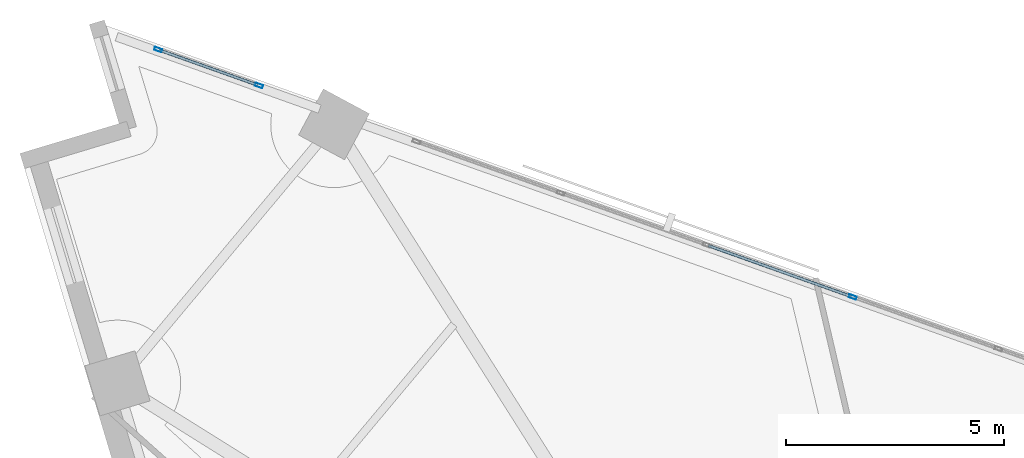
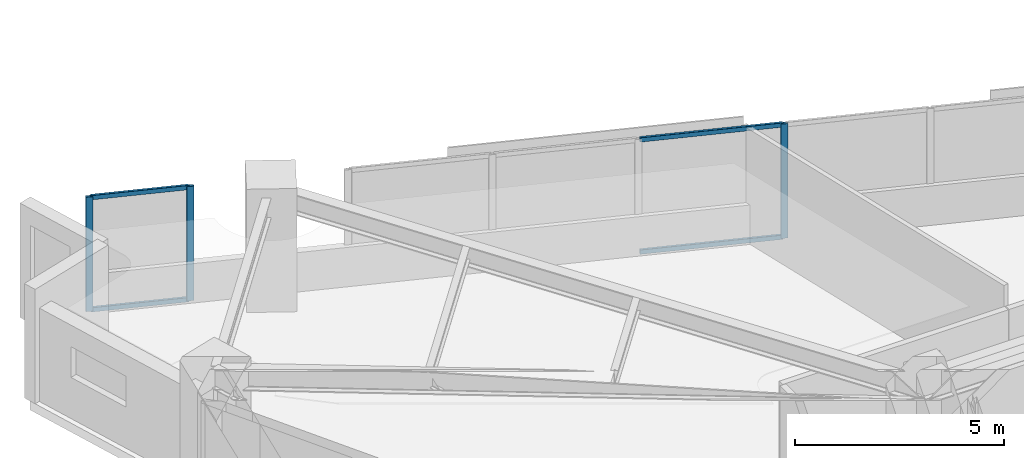
# One storey, part 7 of 15: 7 members, 2 elements without a shape of their own.
"""IFC4 building model written with IfcOpenShell, lengths in metres."""

import ifcopenshell
import ifcopenshell.guid

model = None  # the IFC model being written
_history = None  # IfcOwnerHistory: only IFC2X3 demands one
_inside = {}  # id of a spatial element -> (the spatial element, [elements in it])
_under = {}  # id of a project, library or spatial element -> (it, [spatial elements below it])
_declared = {}  # id of a project -> (the project, [libraries it declares])
_typed = {}  # id of a type object -> (the type object, [elements of that type])
_made_of = {}  # id of a material, layer set ... -> (it, [elements and type objects made of it])


def new_model(schema):
    """Start an empty IFC model of exactly this schema.

    Asked for "IFC4X3", IfcOpenShell would pick the latest addendum, in which some entities
    have other attributes; the version numbers below select the first issue.
    IFC2X3 requires an IfcOwnerHistory on every rooted entity: one is made here for all.
    """
    global model, _history
    if schema == "IFC4X3":
        model = ifcopenshell.file(schema_version=(4, 3, 0, 0))
    else:
        model = ifcopenshell.file(schema=schema)
    _inside.clear()
    _under.clear()
    _declared.clear()
    _typed.clear()
    _made_of.clear()
    _history = None
    if model.schema == "IFC2X3":
        org = make("IfcOrganization", Name="unknown")
        user = make(
            "IfcPersonAndOrganization",
            ThePerson=make("IfcPerson", FamilyName="unknown"),
            TheOrganization=org,
        )
        app = make(
            "IfcApplication",
            ApplicationDeveloper=org,
            Version="unknown",
            ApplicationFullName="unknown",
            ApplicationIdentifier="unknown",
        )
        _history = make(
            "IfcOwnerHistory",
            OwningUser=user,
            OwningApplication=app,
            ChangeAction="ADDED",
            CreationDate=0,
        )
    return model


def make(cls, **values):
    """One entity of the class cls with the attributes given. An attribute that is None is left unset."""
    return model.create_entity(
        cls, **{name: value for name, value in values.items() if value is not None}
    )


def rooted(cls, **values):
    """An entity with a GlobalId (a new one), such as an element, a storey or a relation."""
    return make(cls, GlobalId=ifcopenshell.guid.new(), OwnerHistory=_history, **values)


def si_unit(unit_type, name, prefix=None):
    """IfcSIUnit, for example si_unit("LENGTHUNIT", "METRE", prefix="MILLI")."""
    return make("IfcSIUnit", UnitType=unit_type, Prefix=prefix, Name=name)


def assignment(units):
    """IfcUnitAssignment: the units of a project."""
    return None if units is None else make("IfcUnitAssignment", Units=units)


def point(xyz):
    """IfcCartesianPoint."""
    return None if xyz is None else make("IfcCartesianPoint", Coordinates=xyz)


def direction(xyz):
    """IfcDirection."""
    return None if xyz is None else make("IfcDirection", DirectionRatios=xyz)


def frame(location, z_axis=None, x_axis=None):
    """IfcAxis2Placement3D, a coordinate frame: its origin and axes. An axis left out is left unset."""
    return make(
        "IfcAxis2Placement3D",
        Location=point(location),
        Axis=direction(z_axis),
        RefDirection=direction(x_axis),
    )


def frame_2d(location, x_axis=None):
    """IfcAxis2Placement2D, a coordinate frame in the plane: its origin and x axis."""
    return make(
        "IfcAxis2Placement2D", Location=point(location), RefDirection=direction(x_axis)
    )


def origin():
    """The frame at (0, 0, 0) with its axes left unset."""
    return frame((0.0, 0.0, 0.0))


def origin_2d():
    """The frame at (0, 0) in the plane with its x axis left unset."""
    return frame_2d((0.0, 0.0))


def place(relative_to, where):
    """IfcLocalPlacement: puts the frame where relative to a parent placement (None: the world)."""
    return make(
        "IfcLocalPlacement", PlacementRelTo=relative_to, RelativePlacement=where
    )


def context(
    kind, dimensions, precision=None, world=None, true_north=None, identifier=None
):
    """IfcGeometricRepresentationContext, for example the 3D "Model" context."""
    return make(
        "IfcGeometricRepresentationContext",
        ContextIdentifier=identifier,
        ContextType=kind,
        CoordinateSpaceDimension=dimensions,
        Precision=precision,
        WorldCoordinateSystem=world,
        TrueNorth=true_north,
    )


def subcontext(parent, identifier, kind, view, scale=None):
    """IfcGeometricRepresentationSubContext, for example "Body" below "Model"."""
    return make(
        "IfcGeometricRepresentationSubContext",
        ContextIdentifier=identifier,
        ContextType=kind,
        ParentContext=parent,
        TargetScale=scale,
        TargetView=view,
    )


def project(units=None, contexts=None):
    """IfcProject with its units and contexts."""
    return rooted(
        "IfcProject",
        Name="project",
        RepresentationContexts=contexts,
        UnitsInContext=assignment(units),
    )


def spatial(cls, under=None, at=None, **own):
    """A site, building, storey or space (cls), placed at a placement, below another one or the project."""
    s = rooted(cls, ObjectPlacement=at, **own)
    if under is not None:
        _under.setdefault(under.id(), (under, []))[1].append(s)
    return s


def profile(cls, at=None, kind="AREA", **sizes):
    """A parametric profile (cls). Its sizes go by their IFC names, for example OverallWidth=200.0."""
    return make(cls, ProfileType=kind, Position=at, **sizes)


def hollow_rectangle(**sizes):
    """IfcRectangleHollowProfileDef."""
    return profile("IfcRectangleHollowProfileDef", **sizes)


def extrude(swept, where, along, depth):
    """IfcExtrudedAreaSolid: the profile swept, set in the frame where, extruded along a direction by depth."""
    return make(
        "IfcExtrudedAreaSolid",
        SweptArea=swept,
        Position=where,
        ExtrudedDirection=direction(along),
        Depth=depth,
    )


def shape(context_of_items, identifier, shape_type, items):
    """IfcShapeRepresentation: the items that make up one representation, for example the "Body"."""
    return make(
        "IfcShapeRepresentation",
        ContextOfItems=context_of_items,
        RepresentationIdentifier=identifier,
        RepresentationType=shape_type,
        Items=items,
    )


def material(Name=None, Category=None):
    """IfcMaterial."""
    return make("IfcMaterial", Name=Name, Category=Category)


def material_profile(
    of_material, cross_section, Name=None, Category=None, Priority=None
):
    """IfcMaterialProfile: a cross section and its material."""
    return make(
        "IfcMaterialProfile",
        Name=Name,
        Material=of_material,
        Profile=cross_section,
        Priority=Priority,
        Category=Category,
    )


def profile_set(profiles, Name=None, composite=None):
    """IfcMaterialProfileSet."""
    return make(
        "IfcMaterialProfileSet",
        Name=Name,
        MaterialProfiles=profiles,
        CompositeProfile=composite,
    )


def made_of(thing, what):
    """Note that an element or type object is made of a material, layer set ...; save() writes the relation."""
    if what is not None:
        _made_of.setdefault(what.id(), (what, []))[1].append(thing)
    return thing


def type_object(cls, material=None, **own):
    """A type object (cls), such as IfcWallType, which elements share."""
    return made_of(rooted(cls, **own), material)


def element(
    cls,
    number,
    at=None,
    inside=None,
    cuts=None,
    type_object=None,
    material=None,
    context=None,
    identifier="Body",
    shape_type=None,
    held_by="IfcProductDefinitionShape",
    body=None,
    shapes=None,
    **own,
):
    """One element of the class cls, such as IfcWall. Its Tag is "e" and its number.

    at: its placement. inside: the storey or other place that contains it. cuts: it is an
    opening in that element (IfcRelVoidsElement). A single representation is given by context,
    identifier, shape_type and body (its items); several are given by shapes. held_by: the class
    of the entity that holds the representations. save() writes the other relations.
    """
    e = rooted(cls, Tag="e%d" % number, ObjectPlacement=at, **own)
    if body is not None:
        shapes = [shape(context, identifier, shape_type, body)]
    if shapes is not None:
        e.Representation = make(held_by, Representations=shapes)
    if inside is not None:
        _inside.setdefault(inside.id(), (inside, []))[1].append(e)
    if cuts is not None:
        rooted(
            "IfcRelVoidsElement", RelatingBuildingElement=cuts, RelatedOpeningElement=e
        )
    if type_object is not None:
        _typed.setdefault(type_object.id(), (type_object, []))[1].append(e)
    return made_of(e, material)


def aggregate(whole, parts):
    """IfcRelAggregates: a whole, such as a stair, and the parts it consists of."""
    return rooted("IfcRelAggregates", RelatingObject=whole, RelatedObjects=parts)


def save(model, path):
    """Write the relations noted so far, then the file.

    IfcRelAggregates (storeys below a building ...), IfcRelContainedInSpatialStructure (elements
    in a storey), IfcRelDefinesByType, IfcRelAssociatesMaterial and IfcRelDeclares: one each for
    every whole, place, type object, material and project.
    """
    for whole, parts in _under.values():
        aggregate(whole, parts)
    for where, things in _inside.values():
        rooted(
            "IfcRelContainedInSpatialStructure",
            RelatedElements=things,
            RelatingStructure=where,
        )
    for kind, things in _typed.values():
        rooted("IfcRelDefinesByType", RelatedObjects=things, RelatingType=kind)
    for what, things in _made_of.values():
        rooted("IfcRelAssociatesMaterial", RelatedObjects=things, RelatingMaterial=what)
    for by, libraries in _declared.values():
        rooted("IfcRelDeclares", RelatingContext=by, RelatedDefinitions=libraries)
    model.write(path)


model = new_model("IFC4")

# Units and contexts
model_context = context("Model", 3, precision=1e-05, world=origin(), true_north=direction((0.0, 1.0)))
body_context = subcontext(model_context, "Body", "Model", "MODEL_VIEW")
ifc_project = project(units=[si_unit("LENGTHUNIT", "METRE"), si_unit("AREAUNIT", "SQUARE_METRE"), si_unit("VOLUMEUNIT", "CUBIC_METRE"), si_unit("PLANEANGLEUNIT", "RADIAN"), si_unit("MASSUNIT", "GRAM", prefix="KILO")], contexts=[model_context])

# Site, building, storey
site_placement = place(None, origin())
site = spatial("IfcSite", under=ifc_project, at=site_placement, CompositionType="ELEMENT")
building_placement = place(site_placement, origin())
building = spatial("IfcBuilding", under=site, at=building_placement, Name="Narakoshi Arena Tower", CompositionType="ELEMENT")
storey_placement = place(building_placement, frame((0.0, 0.0, 157.5)))
storey = spatial("IfcBuildingStorey", under=building, at=storey_placement, Name="L42", CompositionType="ELEMENT", Elevation=157.5)

# Curtain wall, member
ifc_material = material(Name="Anodised bronze aluminium 6063-T6", Category="aluminium")
curtain_wall_type = type_object("IfcCurtainWallType", Name="CW-HYP-MID", PredefinedType="NOTDEFINED", material=ifc_material)
curtain_wall_1_placement = place(storey_placement, origin())
curtain_wall_1 = element("IfcCurtainWall", 1, at=curtain_wall_1_placement, inside=storey, type_object=curtain_wall_type, Name="L42 Folded Hypotenuse Curtain Wall 2-1", PredefinedType="NOTDEFINED")
ifc_material_profile_1 = material_profile(ifc_material, hollow_rectangle(XDim=0.074951171875, YDim=0.179931640625, WallThickness=0.00390625, OuterFilletRadius=0.0048828125, at=origin_2d()), Name="MUL180x75x4")
ifc_profile_set_1 = profile_set([ifc_material_profile_1], Name="Anodised bronze aluminium 6063-T6")
member_type_1 = type_object("IfcMemberType", Name="MEM-MUL-180", PredefinedType="MULLION", material=ifc_profile_set_1)
member_1_placement = place(storey_placement, frame((74.43701171875, 67.490966796875, 0.0), z_axis=(0.0, 0.0, 1.0), x_axis=(-0.335518297139, -0.94203368957, 0.0)))
member_1 = element("IfcMember", 2, at=member_1_placement, type_object=member_type_1, Name="CW-02 mullion 5", PredefinedType="MULLION", context=body_context, shape_type="SweptSolid", body=[
    extrude(hollow_rectangle(XDim=0.074951171875, YDim=0.179931640625, WallThickness=0.00390625, OuterFilletRadius=0.0048828125, at=origin_2d()), origin(), (0.0, 0.0, 1.0), 3.340087890625),
])

# Curtain wall, members
curtain_wall_2_placement = place(storey_placement, origin())
curtain_wall_2 = element("IfcCurtainWall", 3, at=curtain_wall_2_placement, inside=storey, type_object=curtain_wall_type, Name="L42 Folded Hypotenuse Curtain Wall 2-2", PredefinedType="NOTDEFINED")
member_2_placement = place(storey_placement, frame((60.826416015625, 72.33837890625, 0.0), z_axis=(0.0, 0.0, 1.0), x_axis=(-0.335541869571, -0.942025293591, 0.0)))
member_2 = element("IfcMember", 4, at=member_2_placement, type_object=member_type_1, Name="CW-02 mullion 1", PredefinedType="MULLION", context=body_context, shape_type="SweptSolid", body=[
    extrude(hollow_rectangle(XDim=0.074951171875, YDim=0.179931640625, WallThickness=0.00390625, OuterFilletRadius=0.0048828125, at=origin_2d()), origin(), (0.0, 0.0, 1.0), 3.340087890625),
])
member_3_placement = place(storey_placement, frame((58.515625, 73.16162109375, 0.0), z_axis=(0.0, 0.0, 1.0), x_axis=(-0.335541869571, -0.942025293591, 0.0)))
member_3 = element("IfcMember", 5, at=member_3_placement, type_object=member_type_1, Name="CW-02 mullion 2", PredefinedType="MULLION", context=body_context, shape_type="SweptSolid", body=[
    extrude(hollow_rectangle(XDim=0.074951171875, YDim=0.179931640625, WallThickness=0.00390625, OuterFilletRadius=0.0048828125, at=origin_2d()), origin(), (0.0, 0.0, 1.0), 3.340087890625),
])

# Member
ifc_material_profile_2 = material_profile(ifc_material, hollow_rectangle(XDim=0.06494140625, YDim=0.1298828125, WallThickness=0.00390625, OuterFilletRadius=0.0048828125, at=origin_2d()), Name="TRN130x65x4")
ifc_profile_set_2 = profile_set([ifc_material_profile_2], Name="Anodised bronze aluminium 6063-T6")
member_type_2 = type_object("IfcMemberType", Name="MEM-TRN-130", PredefinedType="USERDEFINED", material=ifc_profile_set_2)
member_4_placement = place(storey_placement, frame((74.401611328125, 67.50341796875, 0.032470703125), z_axis=(-0.942037165195, 0.335508538477, 0.0), x_axis=(-0.335508538477, -0.942037165195, 0.0)))
member_4 = element("IfcMember", 6, at=member_4_placement, type_object=member_type_2, Name="CW-02 transom 5.1", ObjectType="TRANSOM", PredefinedType="USERDEFINED", context=body_context, shape_type="SweptSolid", body=[
    extrude(hollow_rectangle(XDim=0.06494140625, YDim=0.1298828125, WallThickness=0.00390625, OuterFilletRadius=0.0048828125, at=origin_2d()), origin(), (0.0, 0.0, 1.0), 3.475341796875),
])

member_5_placement = place(storey_placement, frame((74.401611328125, 67.50341796875, 3.3076171875), z_axis=(-0.942037165195, 0.335508538477, 0.0), x_axis=(-0.335508538477, -0.942037165195, 0.0)))
member_5 = element("IfcMember", 7, at=member_5_placement, type_object=member_type_2, Name="CW-02 transom 5.2", ObjectType="TRANSOM", PredefinedType="USERDEFINED", context=body_context, shape_type="SweptSolid", body=[
    extrude(hollow_rectangle(XDim=0.06494140625, YDim=0.1298828125, WallThickness=0.00390625, OuterFilletRadius=0.0048828125, at=origin_2d()), origin(), (0.0, 0.0, 1.0), 3.475341796875),
])

aggregate(curtain_wall_1, [member_1, member_4, member_5])

member_6_placement = place(storey_placement, frame((60.791015625, 72.35107421875, 0.032470703125), z_axis=(-0.942027291531, 0.335536260351, 0.0), x_axis=(-0.335536260351, -0.942027291531, 0.0)))
member_6 = element("IfcMember", 8, at=member_6_placement, type_object=member_type_2, Name="CW-02 transom 1.1", ObjectType="TRANSOM", PredefinedType="USERDEFINED", context=body_context, shape_type="SweptSolid", body=[
    extrude(hollow_rectangle(XDim=0.06494140625, YDim=0.1298828125, WallThickness=0.00390625, OuterFilletRadius=0.0048828125, at=origin_2d()), origin(), (0.0, 0.0, 1.0), 2.3779296875),
])

member_7_placement = place(storey_placement, frame((60.791015625, 72.35107421875, 3.3076171875), z_axis=(-0.942027291531, 0.335536260351, 0.0), x_axis=(-0.335536260351, -0.942027291531, 0.0)))
member_7 = element("IfcMember", 9, at=member_7_placement, type_object=member_type_2, Name="CW-02 transom 1.2", ObjectType="TRANSOM", PredefinedType="USERDEFINED", context=body_context, shape_type="SweptSolid", body=[
    extrude(hollow_rectangle(XDim=0.06494140625, YDim=0.1298828125, WallThickness=0.00390625, OuterFilletRadius=0.0048828125, at=origin_2d()), origin(), (0.0, 0.0, 1.0), 2.3779296875),
])

aggregate(curtain_wall_2, [member_2, member_3, member_6, member_7])

save(model, "model.ifc")
